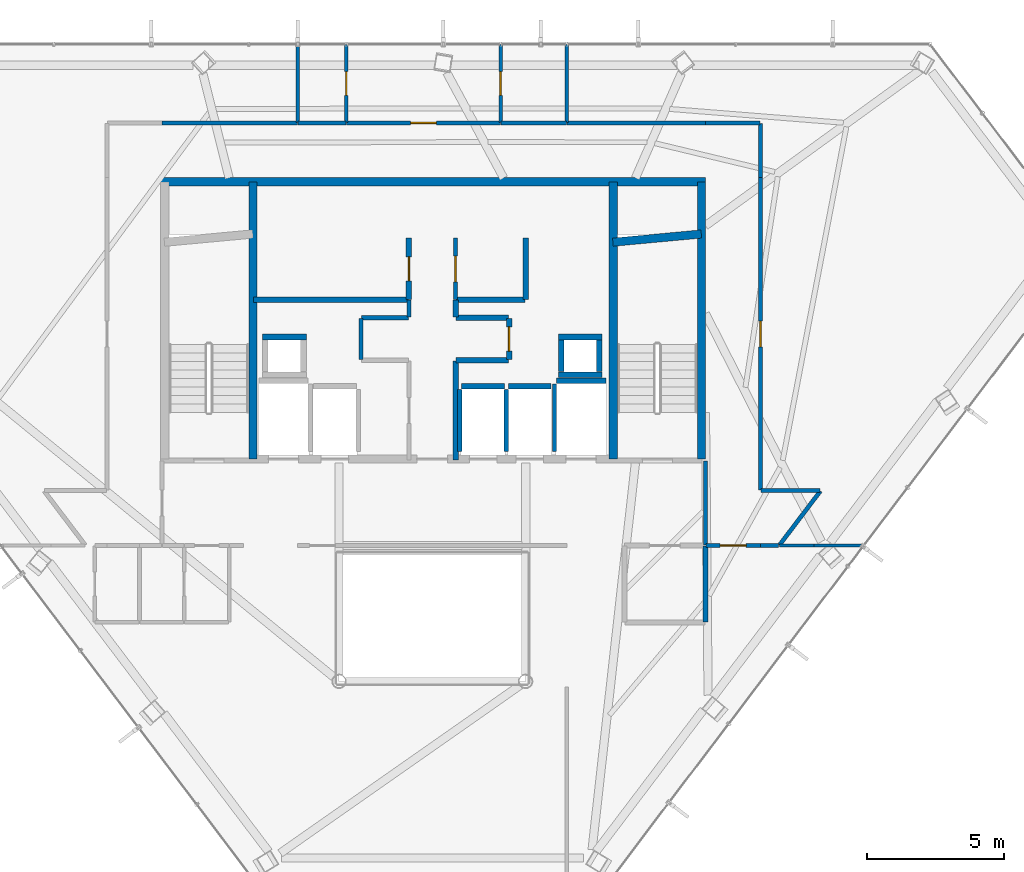
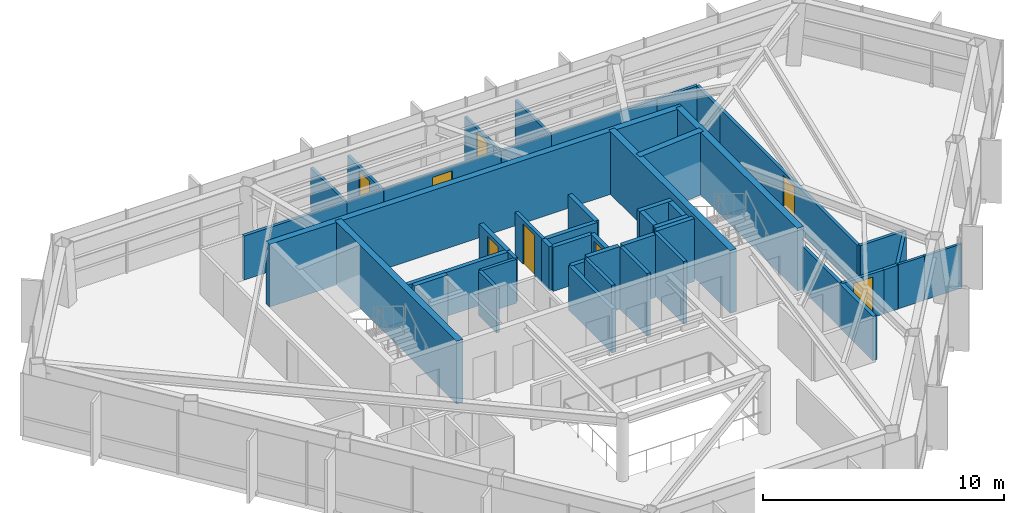
# One storey, part 25 of 27: 49 walls, 8 doors, 8 openings.
"""IFC4 building model written with IfcOpenShell, lengths in metres."""

from ifc_helpers import new_model, si_unit, direction, frame, frame_2d, origin, place, context, subcontext, project, spatial, rectangle, extrude, material, layer, layer_set, type_object, element, fill, save


model = new_model("IFC4")

# Units and contexts
model_context = context("Model", 3, precision=1e-05, world=origin(), true_north=direction((0.0, 1.0)))
body_context = subcontext(model_context, "Body", "Model", "MODEL_VIEW")
ifc_project = project(units=[si_unit("LENGTHUNIT", "METRE"), si_unit("AREAUNIT", "SQUARE_METRE"), si_unit("VOLUMEUNIT", "CUBIC_METRE"), si_unit("PLANEANGLEUNIT", "RADIAN"), si_unit("MASSUNIT", "GRAM", prefix="KILO")], contexts=[model_context])

# Site, building, storey
site_placement = place(None, origin())
site = spatial("IfcSite", under=ifc_project, at=site_placement, CompositionType="ELEMENT")
building_placement = place(site_placement, origin())
building = spatial("IfcBuilding", under=site, at=building_placement, Name="Zarrinselat Tower", CompositionType="ELEMENT")
storey_placement = place(building_placement, frame((0.0, 0.0, 215.56005859375)))
storey = spatial("IfcBuildingStorey", under=building, at=storey_placement, Name="L53", CompositionType="ELEMENT", Elevation=215.56005859375)

# Walls
ifc_material_1 = material(Name="Concrete C40/50", Category="concrete")
ifc_layer_1 = layer(ifc_material_1, 0.18994140625)
ifc_layer_set_1 = layer_set([ifc_layer_1], Name="Concrete C40/50")
wall_type_1 = type_object("IfcWallType", Name="WAL-PART-EI120", PredefinedType="PARTITIONING", material=ifc_layer_set_1)
wall_1_placement = place(storey_placement, frame((48.35009765625, 27.3701171875, 0.0), z_axis=(0.0, 0.0, 1.0), x_axis=(0.0, 1.0, 0.0)))
element("IfcWall", 1, at=wall_1_placement, inside=storey, type_object=wall_type_1, Name="L53 Partition Wall 25", PredefinedType="PARTITIONING", context=body_context, shape_type="SweptSolid", body=[
    extrude(rectangle(XDim=2.759765625, YDim=0.18994140625, at=frame_2d((1.3798828125, 0.0))), origin(), (0.0, 0.0, 1.0), 2.23486328125),
])
ifc_material_2 = material(Name="Fire-Rated Gypsum Board Partition", Category="gypsum")
ifc_layer_2 = layer(ifc_material_2, 0.14990234375)
ifc_layer_set_2 = layer_set([ifc_layer_2], Name="Fire-Rated Gypsum Board Partition")
wall_type_2 = type_object("IfcWallType", Name="WAL-PART-EI60", PredefinedType="PARTITIONING", material=ifc_layer_set_2)
wall_2_placement = place(storey_placement, frame((35.800048828125, 36.919921875, 0.0), z_axis=(0.0, 0.0, 1.0), x_axis=(0.0, 1.0, 0.0)))
element("IfcWall", 2, at=wall_2_placement, inside=storey, type_object=wall_type_2, Name="L53 Partition Wall 3", PredefinedType="PARTITIONING", context=body_context, shape_type="SweptSolid", body=[
    extrude(rectangle(XDim=1.510009765625, YDim=0.14990234375, at=frame_2d((0.7548828125, 0.0))), origin(), (0.0, 0.0, 1.0), 2.23486328125),
])
wall_3_placement = place(storey_placement, frame((35.820068359375, 38.449951171875, 0.0), z_axis=(0.0, 0.0, 1.0), x_axis=(1.0, 0.0, 0.0)))
element("IfcWall", 3, at=wall_3_placement, inside=storey, type_object=wall_type_2, Name="L53 Partition Wall 4", PredefinedType="PARTITIONING", context=body_context, shape_type="SweptSolid", body=[
    extrude(rectangle(XDim=1.7099609375, YDim=0.14990234375, at=frame_2d((0.85498046875, 0.0))), origin(), (0.0, 0.0, 1.0), 2.23486328125),
])
wall_4_placement = place(storey_placement, frame((37.550048828125, 38.469970703125, 0.0), z_axis=(0.0, 0.0, 1.0), x_axis=(0.0, 1.0, 0.0)))
element("IfcWall", 4, at=wall_4_placement, inside=storey, type_object=wall_type_2, Name="L53 Partition Wall 5", PredefinedType="PARTITIONING", context=body_context, shape_type="SweptSolid", body=[
    extrude(rectangle(XDim=0.625, YDim=0.14990234375, at=frame_2d((0.3125, 0.0))), origin(), (0.0, 0.0, 1.0), 2.23486328125),
])

# Wall, opening, door
wall_5_placement = place(storey_placement, frame((39.25, 39.10498046875, 0.0), z_axis=(0.0, 0.0, 1.0), x_axis=(0.0, 1.0, 0.0)))
wall_5 = element("IfcWall", 5, at=wall_5_placement, inside=storey, type_object=wall_type_2, Name="L53 Partition Wall 12", PredefinedType="PARTITIONING", context=body_context, shape_type="SweptSolid", body=[
    extrude(rectangle(XDim=2.2451171875, YDim=0.14990234375, at=frame_2d((1.12255859375, 0.0))), origin(), (0.0, 0.0, 1.0), 2.23486328125),
])
opening_1_placement = place(wall_5_placement, frame((0.652587890625, 0.0, 0.0)))
opening_1 = element("IfcOpeningElement", 6, at=opening_1_placement, cuts=wall_5, Name="Opening ID-04", PredefinedType="OPENING", context=body_context, shape_type="SweptSolid", body=[
    extrude(rectangle(XDim=0.93994140625, YDim=2.050048828125, at=frame_2d((0.469970703125, 1.02490234375))), frame((0.0, 0.0849609375, 0.0), z_axis=(0.0, -1.0, 0.0), x_axis=(1.0, 0.0, 0.0)), (0.0, 0.0, 1.0), 0.169921875),
])
ifc_material_3 = material(Name="Fire-Rated Gypsum Board Partition")
door_type_1 = type_object("IfcDoorType", Name="DR-INT-FD30-ENT", OperationType="NOTDEFINED", PredefinedType="DOOR", material=ifc_material_3)
door_1_placement = place(opening_1_placement, origin())
door_1 = element("IfcDoor", 7, at=door_1_placement, inside=storey, type_object=door_type_1, Name="L53 Interior Door P12", OperationType="SINGLE_SWING_LEFT", OverallHeight=2.050048828125, OverallWidth=0.93994140625, PredefinedType="DOOR", context=body_context, shape_type="SweptSolid", body=[
    extrude(rectangle(XDim=0.93994140625, YDim=2.050048828125, at=frame_2d((0.469970703125, 1.02490234375))), frame((0.0, 0.02490234375, 0.0), z_axis=(0.0, -1.0, 0.0), x_axis=(1.0, 0.0, 0.0)), (0.0, 0.0, 1.0), 0.050048828125),
])
fill(opening_1, door_1)

# Walls
wall_6_placement = place(storey_placement, frame((48.35009765625, 30.169921875, 0.0), z_axis=(0.0, 0.0, 1.0), x_axis=(0.0, 1.0, 0.0)))
element("IfcWall", 8, at=wall_6_placement, inside=storey, type_object=wall_type_2, Name="L53 Partition Wall 18", PredefinedType="PARTITIONING", context=body_context, shape_type="SweptSolid", body=[
    extrude(rectangle(XDim=3.06005859375, YDim=0.14990234375, at=frame_2d((1.530029296875, 0.0))), origin(), (0.0, 0.0, 1.0), 2.23486328125),
])
wall_7_placement = place(storey_placement, frame((50.35009765625, 30.14990234375, 0.0), z_axis=(0.0, 0.0, 1.0), x_axis=(1.0, 0.0, 0.0)))
element("IfcWall", 9, at=wall_7_placement, inside=storey, type_object=wall_type_2, Name="L53 Partition Wall 29", PredefinedType="PARTITIONING", context=body_context, shape_type="SweptSolid", body=[
    extrude(rectangle(XDim=0.6650390625, YDim=0.14990234375, at=frame_2d((0.33251953125, 0.0))), origin(), (0.0, 0.0, 1.0), 2.23486328125),
])

# Wall, opening, door
wall_8_placement = place(storey_placement, frame((48.3701171875, 30.14990234375, 0.0), z_axis=(0.0, 0.0, 1.0), x_axis=(1.0, 0.0, 0.0)))
wall_8 = element("IfcWall", 10, at=wall_8_placement, inside=storey, type_object=wall_type_2, Name="L53 Partition Wall 30", PredefinedType="PARTITIONING", context=body_context, shape_type="SweptSolid", body=[
    extrude(rectangle(XDim=1.97998046875, YDim=0.14990234375, at=frame_2d((0.989990234375, 0.0))), origin(), (0.0, 0.0, 1.0), 2.23486328125),
])
opening_2_placement = place(wall_8_placement, frame((0.52001953125, 0.0, 0.0)))
opening_2 = element("IfcOpeningElement", 11, at=opening_2_placement, cuts=wall_8, Name="Opening ID-04", PredefinedType="OPENING", context=body_context, shape_type="SweptSolid", body=[
    extrude(rectangle(XDim=0.93994140625, YDim=2.050048828125, at=frame_2d((0.469970703125, 1.02490234375))), frame((0.0, 0.0849609375, 0.0), z_axis=(0.0, -1.0, 0.0), x_axis=(1.0, 0.0, 0.0)), (0.0, 0.0, 1.0), 0.169921875),
])
door_2_placement = place(opening_2_placement, origin())
door_2 = element("IfcDoor", 12, at=door_2_placement, inside=storey, type_object=door_type_1, Name="L53 Interior Door P30", OperationType="SINGLE_SWING_RIGHT", OverallHeight=2.050048828125, OverallWidth=0.93994140625, PredefinedType="DOOR", context=body_context, shape_type="SweptSolid", body=[
    extrude(rectangle(XDim=0.93994140625, YDim=2.050048828125, at=frame_2d((0.469970703125, 1.02490234375))), frame((0.0, 0.02490234375, 0.0), z_axis=(0.0, -1.0, 0.0), x_axis=(1.0, 0.0, 0.0)), (0.0, 0.0, 1.0), 0.050048828125),
])
fill(opening_2, door_2)

# Walls
wall_9_placement = place(storey_placement, frame((28.550048828125, 45.550048828125, 0.0), z_axis=(0.0, 0.0, 1.0), x_axis=(1.0, 0.0, 0.0)))
element("IfcWall", 13, at=wall_9_placement, inside=storey, type_object=wall_type_2, Name="L53 Partition Wall 36", PredefinedType="PARTITIONING", context=body_context, shape_type="SweptSolid", body=[
    extrude(rectangle(XDim=4.945068359375, YDim=0.14990234375, at=frame_2d((2.47265625, 0.0))), origin(), (0.0, 0.0, 1.0), 2.23486328125),
])
wall_10_placement = place(storey_placement, frame((43.304931640625, 45.550048828125, 0.0), z_axis=(0.0, 0.0, 1.0), x_axis=(1.0, 0.0, 0.0)))
element("IfcWall", 14, at=wall_10_placement, inside=storey, type_object=wall_type_2, Name="L53 Partition Wall 37", PredefinedType="PARTITIONING", context=body_context, shape_type="SweptSolid", body=[
    extrude(rectangle(XDim=5.045166015625, YDim=0.14990234375, at=frame_2d((2.5224609375, 0.0))), origin(), (0.0, 0.0, 1.0), 2.23486328125),
])
for number, where, z_axis, x_axis, name in (
    (15, (48.35009765625, 45.550048828125, 0.0), (0.0, 0.0, 1.0), (1.0, 0.0, 0.0), "L53 Partition Wall 38"),
    (16, (50.35009765625, 43.550048828125, 0.0), (0.0, 0.0, 1.0), (0.0, 1.0, 0.0), "L53 Partition Wall 39"),
):
    element("IfcWall", number, at=place(storey_placement, frame(where, z_axis=z_axis, x_axis=x_axis)), inside=storey, type_object=wall_type_2, Name=name, PredefinedType="PARTITIONING", context=body_context, shape_type="SweptSolid", body=[
        extrude(rectangle(XDim=1.97998046875, YDim=0.14990234375, at=frame_2d((0.989990234375, 0.0))), origin(), (0.0, 0.0, 1.0), 2.23486328125),
    ])

# Wall, opening, door
wall_11_placement = place(storey_placement, frame((50.35009765625, 32.169921875, 0.0), z_axis=(0.0, 0.0, 1.0), x_axis=(0.0, 1.0, 0.0)))
wall_11 = element("IfcWall", 17, at=wall_11_placement, inside=storey, type_object=wall_type_2, Name="L53 Partition Wall 40", PredefinedType="PARTITIONING", context=body_context, shape_type="SweptSolid", body=[
    extrude(rectangle(XDim=11.380126953125, YDim=0.14990234375, at=frame_2d((5.68994140625, 0.0))), origin(), (0.0, 0.0, 1.0), 2.23486328125),
])
opening_3_placement = place(wall_11_placement, frame((5.219970703125, 0.0, 0.0)))
opening_3 = element("IfcOpeningElement", 18, at=opening_3_placement, cuts=wall_11, Name="Opening ID-04", PredefinedType="OPENING", context=body_context, shape_type="SweptSolid", body=[
    extrude(rectangle(XDim=0.93994140625, YDim=2.050048828125, at=frame_2d((0.469970703125, 1.02490234375))), frame((0.0, 0.0849609375, 0.0), z_axis=(0.0, -1.0, 0.0), x_axis=(1.0, 0.0, 0.0)), (0.0, 0.0, 1.0), 0.169921875),
])
door_3_placement = place(opening_3_placement, origin())
door_3 = element("IfcDoor", 19, at=door_3_placement, inside=storey, type_object=door_type_1, Name="L53 Interior Door P40", OperationType="SINGLE_SWING_RIGHT", OverallHeight=2.050048828125, OverallWidth=0.93994140625, PredefinedType="DOOR", context=body_context, shape_type="SweptSolid", body=[
    extrude(rectangle(XDim=0.93994140625, YDim=2.050048828125, at=frame_2d((0.469970703125, 1.02490234375))), frame((0.0, 0.02490234375, 0.0), z_axis=(0.0, -1.0, 0.0), x_axis=(1.0, 0.0, 0.0)), (0.0, 0.0, 1.0), 0.050048828125),
])
fill(opening_3, door_3)

# Walls
wall_12_placement = place(storey_placement, frame((50.3701171875, 32.14990234375, 0.0), z_axis=(0.0, 0.0, 1.0), x_axis=(1.0, 0.0, 0.0)))
element("IfcWall", 20, at=wall_12_placement, inside=storey, type_object=wall_type_2, Name="L53 Partition Wall 41", PredefinedType="PARTITIONING", context=body_context, shape_type="SweptSolid", body=[
    extrude(rectangle(XDim=2.16015625, YDim=0.14990234375, at=frame_2d((1.080078125, 0.0))), origin(), (0.0, 0.0, 1.0), 2.23486328125),
])
wall_13_placement = place(storey_placement, frame((51.04736328125, 30.166015625, 0.0), z_axis=(0.0, 0.0, 1.0), x_axis=(0.603806281462, 0.797131089889, 0.0)))
element("IfcWall", 21, at=wall_13_placement, inside=storey, type_object=wall_type_2, Name="L53 Partition Wall 42", PredefinedType="PARTITIONING", context=body_context, shape_type="SweptSolid", body=[
    extrude(rectangle(XDim=2.468994140625, YDim=0.14990234375, at=frame_2d((1.234375, 0.0))), origin(), (0.0, 0.0, 1.0), 2.23486328125),
])

# Wall, opening, door
wall_14_placement = place(storey_placement, frame((35.26904296875, 45.550048828125, 0.0), z_axis=(0.0, 0.0, 1.0), x_axis=(1.0, 0.0, 0.0)))
wall_14 = element("IfcWall", 22, at=wall_14_placement, inside=storey, type_object=wall_type_2, Name="L53 Partition Wall 43", PredefinedType="PARTITIONING", context=body_context, shape_type="SweptSolid", body=[
    extrude(rectangle(XDim=5.615234375, YDim=0.14990234375, at=frame_2d((2.8076171875, 0.0))), origin(), (0.0, 0.0, 1.0), 2.23486328125),
])
opening_4_placement = place(wall_14_placement, frame((2.337646484375, 0.0, 0.0)))
opening_4 = element("IfcOpeningElement", 23, at=opening_4_placement, cuts=wall_14, Name="Opening ID-04", PredefinedType="OPENING", context=body_context, shape_type="SweptSolid", body=[
    extrude(rectangle(XDim=0.93994140625, YDim=2.050048828125, at=frame_2d((0.469970703125, 1.02490234375))), frame((0.0, 0.0849609375, 0.0), z_axis=(0.0, -1.0, 0.0), x_axis=(1.0, 0.0, 0.0)), (0.0, 0.0, 1.0), 0.169921875),
])
door_4_placement = place(opening_4_placement, origin())
door_4 = element("IfcDoor", 24, at=door_4_placement, inside=storey, type_object=door_type_1, Name="L53 Interior Door P43", OperationType="SINGLE_SWING_LEFT", OverallHeight=2.050048828125, OverallWidth=0.93994140625, PredefinedType="DOOR", context=body_context, shape_type="SweptSolid", body=[
    extrude(rectangle(XDim=0.93994140625, YDim=2.050048828125, at=frame_2d((0.469970703125, 1.02490234375))), frame((0.0, 0.02490234375, 0.0), z_axis=(0.0, -1.0, 0.0), x_axis=(1.0, 0.0, 0.0)), (0.0, 0.0, 1.0), 0.050048828125),
])
fill(opening_4, door_4)

# Walls
wall_15_placement = place(storey_placement, frame((40.894287109375, 45.550048828125, 0.0), z_axis=(0.0, 0.0, 1.0), x_axis=(1.0, 0.0, 0.0)))
element("IfcWall", 25, at=wall_15_placement, inside=storey, type_object=wall_type_2, Name="L53 Partition Wall 44", PredefinedType="PARTITIONING", context=body_context, shape_type="SweptSolid", body=[
    extrude(rectangle(XDim=2.400634765625, YDim=0.14990234375, at=frame_2d((1.2001953125, 0.0))), origin(), (0.0, 0.0, 1.0), 2.23486328125),
])
wall_16_placement = place(storey_placement, frame((33.5048828125, 45.550048828125, 0.0), z_axis=(0.0, 0.0, 1.0), x_axis=(1.0, 0.0, 0.0)))
element("IfcWall", 26, at=wall_16_placement, inside=storey, type_object=wall_type_2, Name="L53 Partition Wall 45", PredefinedType="PARTITIONING", context=body_context, shape_type="SweptSolid", body=[
    extrude(rectangle(XDim=1.754150390625, YDim=0.14990234375, at=frame_2d((0.876953125, 0.0))), origin(), (0.0, 0.0, 1.0), 2.23486328125),
])

# Wall, opening, door
ifc_material_4 = material(Name="Concrete C40/50", Category="concrete")
ifc_layer_3 = layer(ifc_material_4, 0.199951171875)
ifc_layer_set_3 = layer_set([ifc_layer_3], Name="Concrete C40/50")
wall_type_3 = type_object("IfcWallType", Name="WAL-PART-PLANT", PredefinedType="PARTITIONING", material=ifc_layer_set_3)
wall_17_placement = place(storey_placement, frame((37.550048828125, 39.10498046875, 0.0), z_axis=(0.0, 0.0, 1.0), x_axis=(0.0, 1.0, 0.0)))
wall_17 = element("IfcWall", 27, at=wall_17_placement, inside=storey, type_object=wall_type_3, Name="L53 Partition Wall 6", PredefinedType="PARTITIONING", context=body_context, shape_type="SweptSolid", body=[
    extrude(rectangle(XDim=2.2451171875, YDim=0.199951171875, at=frame_2d((1.12255859375, 0.0))), origin(), (0.0, 0.0, 1.0), 2.23486328125),
])
opening_5_placement = place(wall_17_placement, frame((0.6826171875, 0.0, 0.0)))
opening_5 = element("IfcOpeningElement", 28, at=opening_5_placement, cuts=wall_17, Name="Opening ID-03", PredefinedType="OPENING", context=body_context, shape_type="SweptSolid", body=[
    extrude(rectangle(XDim=0.8798828125, YDim=2.050048828125, at=frame_2d((0.43994140625, 1.02490234375))), frame((0.0, 0.10986328125, 0.0), z_axis=(0.0, -1.0, 0.0), x_axis=(1.0, 0.0, 0.0)), (0.0, 0.0, 1.0), 0.219970703125),
])
ifc_material_5 = material(Name="Steel S355J2", Category="steel")
door_type_2 = type_object("IfcDoorType", Name="DR-INT-FD60-S", OperationType="NOTDEFINED", PredefinedType="DOOR", material=ifc_material_5)
door_5_placement = place(opening_5_placement, origin())
door_5 = element("IfcDoor", 29, at=door_5_placement, inside=storey, type_object=door_type_2, Name="L53 Interior Door P6", OperationType="SINGLE_SWING_LEFT", OverallHeight=2.050048828125, OverallWidth=0.8798828125, PredefinedType="DOOR", context=body_context, shape_type="SweptSolid", body=[
    extrude(rectangle(XDim=0.8798828125, YDim=2.050048828125, at=frame_2d((0.43994140625, 1.02490234375))), frame((0.0, 0.02490234375, 0.0), z_axis=(0.0, -1.0, 0.0), x_axis=(1.0, 0.0, 0.0)), (0.0, 0.0, 1.0), 0.050048828125),
])
fill(opening_5, door_5)

# Walls
wall_18_placement = place(storey_placement, frame((39.25, 38.469970703125, 0.0), z_axis=(0.0, 0.0, 1.0), x_axis=(0.0, 1.0, 0.0)))
element("IfcWall", 30, at=wall_18_placement, inside=storey, type_object=wall_type_3, Name="L53 Partition Wall 7", PredefinedType="PARTITIONING", context=body_context, shape_type="SweptSolid", body=[
    extrude(rectangle(XDim=0.625, YDim=0.199951171875, at=frame_2d((0.3125, 0.0))), origin(), (0.0, 0.0, 1.0), 2.23486328125),
])
wall_19_placement = place(storey_placement, frame((39.27001953125, 38.449951171875, 0.0), z_axis=(0.0, 0.0, 1.0), x_axis=(1.0, 0.0, 0.0)))
element("IfcWall", 31, at=wall_19_placement, inside=storey, type_object=wall_type_3, Name="L53 Partition Wall 8", PredefinedType="PARTITIONING", context=body_context, shape_type="SweptSolid", body=[
    extrude(rectangle(XDim=1.909912109375, YDim=0.199951171875, at=frame_2d((0.955078125, 0.0))), origin(), (0.0, 0.0, 1.0), 2.23486328125),
])

# Wall, opening, door
wall_20_placement = place(storey_placement, frame((41.199951171875, 36.919921875, 0.0), z_axis=(0.0, 0.0, 1.0), x_axis=(0.0, 1.0, 0.0)))
wall_20 = element("IfcWall", 32, at=wall_20_placement, inside=storey, type_object=wall_type_3, Name="L53 Partition Wall 9", PredefinedType="PARTITIONING", context=body_context, shape_type="SweptSolid", body=[
    extrude(rectangle(XDim=1.510009765625, YDim=0.199951171875, at=frame_2d((0.7548828125, 0.0))), origin(), (0.0, 0.0, 1.0), 2.23486328125),
])
opening_6_placement = place(wall_20_placement, frame((0.31494140625, 0.0, 0.0)))
opening_6 = element("IfcOpeningElement", 33, at=opening_6_placement, cuts=wall_20, Name="Opening ID-03", PredefinedType="OPENING", context=body_context, shape_type="SweptSolid", body=[
    extrude(rectangle(XDim=0.8798828125, YDim=2.050048828125, at=frame_2d((0.43994140625, 1.02490234375))), frame((0.0, 0.10986328125, 0.0), z_axis=(0.0, -1.0, 0.0), x_axis=(1.0, 0.0, 0.0)), (0.0, 0.0, 1.0), 0.219970703125),
])
door_6_placement = place(opening_6_placement, origin())
door_6 = element("IfcDoor", 34, at=door_6_placement, inside=storey, type_object=door_type_2, Name="L53 Interior Door P9", OperationType="SINGLE_SWING_RIGHT", OverallHeight=2.050048828125, OverallWidth=0.8798828125, PredefinedType="DOOR", context=body_context, shape_type="SweptSolid", body=[
    extrude(rectangle(XDim=0.8798828125, YDim=2.050048828125, at=frame_2d((0.43994140625, 1.02490234375))), frame((0.0, 0.02490234375, 0.0), z_axis=(0.0, -1.0, 0.0), x_axis=(1.0, 0.0, 0.0)), (0.0, 0.0, 1.0), 0.050048828125),
])
fill(opening_6, door_6)

# Walls
wall_21_placement = place(storey_placement, frame((39.27001953125, 36.89990234375, 0.0), z_axis=(0.0, 0.0, 1.0), x_axis=(1.0, 0.0, 0.0)))
element("IfcWall", 35, at=wall_21_placement, inside=storey, type_object=wall_type_3, Name="L53 Partition Wall 10", PredefinedType="PARTITIONING", context=body_context, shape_type="SweptSolid", body=[
    extrude(rectangle(XDim=1.909912109375, YDim=0.199951171875, at=frame_2d((0.955078125, 0.0))), origin(), (0.0, 0.0, 1.0), 2.23486328125),
])
wall_22_placement = place(storey_placement, frame((39.25, 33.264892578125, 0.0), z_axis=(0.0, 0.0, 1.0), x_axis=(0.0, 1.0, 0.0)))
element("IfcWall", 36, at=wall_22_placement, inside=storey, type_object=wall_type_3, Name="L53 Partition Wall 11", PredefinedType="PARTITIONING", context=body_context, shape_type="SweptSolid", body=[
    extrude(rectangle(XDim=3.614990234375, YDim=0.199951171875, at=frame_2d((1.8076171875, 0.0))), origin(), (0.0, 0.0, 1.0), 2.23486328125),
])
wall_23_placement = place(storey_placement, frame((31.885009765625, 39.10009765625, 0.0), z_axis=(0.0, 0.0, 1.0), x_axis=(1.0, 0.0, 0.0)))
element("IfcWall", 37, at=wall_23_placement, inside=storey, type_object=wall_type_3, Name="L53 Partition Wall 13", PredefinedType="PARTITIONING", context=body_context, shape_type="SweptSolid", body=[
    extrude(rectangle(XDim=5.64501953125, YDim=0.199951171875, at=frame_2d((2.822509765625, 0.0))), origin(), (0.0, 0.0, 1.0), 2.23486328125),
])
wall_24_placement = place(storey_placement, frame((39.27001953125, 39.10009765625, 0.0), z_axis=(0.0, 0.0, 1.0), x_axis=(1.0, 0.0, 0.0)))
element("IfcWall", 38, at=wall_24_placement, inside=storey, type_object=wall_type_3, Name="L53 Partition Wall 14", PredefinedType="PARTITIONING", context=body_context, shape_type="SweptSolid", body=[
    extrude(rectangle(XDim=2.510009765625, YDim=0.199951171875, at=frame_2d((1.2548828125, 0.0))), origin(), (0.0, 0.0, 1.0), 2.23486328125),
])
wall_25_placement = place(storey_placement, frame((41.800048828125, 39.1201171875, 0.0), z_axis=(0.0, 0.0, 1.0), x_axis=(0.0, 1.0, 0.0)))
element("IfcWall", 39, at=wall_25_placement, inside=storey, type_object=wall_type_3, Name="L53 Partition Wall 15", PredefinedType="PARTITIONING", context=body_context, shape_type="SweptSolid", body=[
    extrude(rectangle(XDim=2.22998046875, YDim=0.199951171875, at=frame_2d((1.114990234375, 0.0))), origin(), (0.0, 0.0, 1.0), 2.23486328125),
])
ifc_material_6 = material(Name="Fire-Rated Gypsum Board Partition", Category="gypsum")
ifc_layer_4 = layer(ifc_material_6, 0.1201171875)
ifc_layer_set_4 = layer_set([ifc_layer_4], Name="Fire-Rated Gypsum Board Partition")
wall_type_4 = type_object("IfcWallType", Name="WAL-PART-STD", PredefinedType="PARTITIONING", material=ifc_layer_set_4)
wall_26_placement = place(storey_placement, frame((51.05517578125, 30.14990234375, 0.0), z_axis=(0.0, 0.0, 1.0), x_axis=(1.0, 0.0, 0.0)))
element("IfcWall", 40, at=wall_26_placement, inside=storey, type_object=wall_type_4, Name="L53 Partition Wall 56", PredefinedType="PARTITIONING", context=body_context, shape_type="SweptSolid", body=[
    extrude(rectangle(XDim=1.244873046875, YDim=0.1201171875, at=frame_2d((0.62255859375, 0.0))), origin(), (0.0, 0.0, 1.0), 2.23486328125),
])
wall_27_placement = place(storey_placement, frame((52.300048828125, 30.14990234375, 0.0), z_axis=(0.0, 0.0, 1.0), x_axis=(1.0, 0.0, 0.0)))
element("IfcWall", 41, at=wall_27_placement, inside=storey, type_object=wall_type_4, Name="L53 Partition Wall 57", PredefinedType="PARTITIONING", context=body_context, shape_type="SweptSolid", body=[
    extrude(rectangle(XDim=1.806396484375, YDim=0.1201171875, at=frame_2d((0.9033203125, 0.0))), origin(), (0.0, 0.0, 1.0), 2.23486328125),
])
ifc_material_7 = material(Name="Fire-Rated Gypsum Board Partition", Category="gypsum")
ifc_layer_5 = layer(ifc_material_7, 0.135009765625)
ifc_layer_set_5 = layer_set([ifc_layer_5], Name="Fire-Rated Gypsum Board Partition")
wall_type_5 = type_object("IfcWallType", Name="WAL-PART-WET", PredefinedType="PARTITIONING", material=ifc_layer_set_5)
for number, where, z_axis, x_axis, name in (
    (42, (33.5, 45.570068359375, 0.0), (0.0, 0.0, 1.0), (0.0, 1.0, 0.0), "L53 Partition Wall 58"),
    (43, (43.300048828125, 45.570068359375, 0.0), (0.0, 0.0, 1.0), (0.0, 1.0, 0.0), "L53 Partition Wall 59"),
):
    element("IfcWall", number, at=place(storey_placement, frame(where, z_axis=z_axis, x_axis=x_axis)), inside=storey, type_object=wall_type_5, Name=name, PredefinedType="PARTITIONING", context=body_context, shape_type="SweptSolid", body=[
        extrude(rectangle(XDim=2.825927734375, YDim=0.135009765625, at=frame_2d((1.4130859375, 0.0))), origin(), (0.0, 0.0, 1.0), 2.23486328125),
    ])

# Wall, opening, door
wall_28_placement = place(storey_placement, frame((40.88916015625, 45.570068359375, 0.0), z_axis=(0.0, 0.0, 1.0), x_axis=(0.0, 1.0, 0.0)))
wall_28 = element("IfcWall", 44, at=wall_28_placement, inside=storey, type_object=wall_type_5, Name="L53 Partition Wall 60", PredefinedType="PARTITIONING", context=body_context, shape_type="SweptSolid", body=[
    extrude(rectangle(XDim=2.825927734375, YDim=0.135009765625, at=frame_2d((1.4130859375, 0.0))), origin(), (0.0, 0.0, 1.0), 2.23486328125),
])
opening_7_placement = place(wall_28_placement, frame((0.98291015625, 0.0, 0.0)))
opening_7 = element("IfcOpeningElement", 45, at=opening_7_placement, cuts=wall_28, Name="Opening ID-06", PredefinedType="OPENING", context=body_context, shape_type="SweptSolid", body=[
    extrude(rectangle(XDim=0.860107421875, YDim=2.050048828125, at=frame_2d((0.43017578125, 1.02490234375))), frame((0.0, 0.077392578125, 0.0), z_axis=(0.0, -1.0, 0.0), x_axis=(1.0, 0.0, 0.0)), (0.0, 0.0, 1.0), 0.155029296875),
])
ifc_material_8 = material(Name="Extruded Aluminium Alloy EN AW-6063 T6", Category="aluminium")
door_type_3 = type_object("IfcDoorType", Name="DR-INT-WET-900", OperationType="NOTDEFINED", PredefinedType="DOOR", material=ifc_material_8)
door_7_placement = place(opening_7_placement, origin())
door_7 = element("IfcDoor", 46, at=door_7_placement, inside=storey, type_object=door_type_3, Name="L53 Interior Door P60", OperationType="SINGLE_SWING_RIGHT", OverallHeight=2.050048828125, OverallWidth=0.860107421875, PredefinedType="DOOR", context=body_context, shape_type="SweptSolid", body=[
    extrude(rectangle(XDim=0.860107421875, YDim=2.050048828125, at=frame_2d((0.43017578125, 1.02490234375))), frame((0.0, 0.02490234375, 0.0), z_axis=(0.0, -1.0, 0.0), x_axis=(1.0, 0.0, 0.0)), (0.0, 0.0, 1.0), 0.050048828125),
])
fill(opening_7, door_7)

wall_29_placement = place(storey_placement, frame((35.263916015625, 45.570068359375, 0.0), z_axis=(0.0, 0.0, 1.0), x_axis=(0.0, 1.0, 0.0)))
wall_29 = element("IfcWall", 47, at=wall_29_placement, inside=storey, type_object=wall_type_5, Name="L53 Partition Wall 61", PredefinedType="PARTITIONING", context=body_context, shape_type="SweptSolid", body=[
    extrude(rectangle(XDim=2.825927734375, YDim=0.135009765625, at=frame_2d((1.4130859375, 0.0))), origin(), (0.0, 0.0, 1.0), 2.23486328125),
])
opening_8_placement = place(wall_29_placement, frame((0.98291015625, 0.0, 0.0)))
opening_8 = element("IfcOpeningElement", 48, at=opening_8_placement, cuts=wall_29, Name="Opening ID-06", PredefinedType="OPENING", context=body_context, shape_type="SweptSolid", body=[
    extrude(rectangle(XDim=0.860107421875, YDim=2.050048828125, at=frame_2d((0.43017578125, 1.02490234375))), frame((0.0, 0.077392578125, 0.0), z_axis=(0.0, -1.0, 0.0), x_axis=(1.0, 0.0, 0.0)), (0.0, 0.0, 1.0), 0.155029296875),
])
door_8_placement = place(opening_8_placement, origin())
door_8 = element("IfcDoor", 49, at=door_8_placement, inside=storey, type_object=door_type_3, Name="L53 Interior Door P61", OperationType="SINGLE_SWING_LEFT", OverallHeight=2.050048828125, OverallWidth=0.860107421875, PredefinedType="DOOR", context=body_context, shape_type="SweptSolid", body=[
    extrude(rectangle(XDim=0.860107421875, YDim=2.050048828125, at=frame_2d((0.43017578125, 1.02490234375))), frame((0.0, 0.02490234375, 0.0), z_axis=(0.0, -1.0, 0.0), x_axis=(1.0, 0.0, 0.0)), (0.0, 0.0, 1.0), 0.050048828125),
])
fill(opening_8, door_8)

# Walls
ifc_material_9 = material(Name="Concrete C40/50", Category="concrete")
ifc_layer_6 = layer(ifc_material_9, 0.2099609375)
ifc_layer_set_6 = layer_set([ifc_layer_6], Name="Concrete C40/50")
wall_type_6 = type_object("IfcWallType", Name="WAL-SHAFT-210", PredefinedType="SOLIDWALL", material=ifc_layer_set_6)
wall_30_placement = place(storey_placement, frame((42.919921875, 36.155029296875, 0.0), z_axis=(0.0, 0.0, 1.0), x_axis=(1.0, 0.0, 0.0)))
element("IfcWall", 50, at=wall_30_placement, inside=storey, type_object=wall_type_6, Name="L53 Lift FFL2 North Shaft Wall", PredefinedType="SOLIDWALL", context=body_context, shape_type="SweptSolid", body=[
    extrude(rectangle(XDim=1.800048828125, YDim=0.2099609375, at=frame_2d((0.89990234375, 0.0))), origin(), (0.0, 0.0, 1.0), 3.179931640625),
])
wall_31_placement = place(storey_placement, frame((42.85009765625, 33.580078125, 0.0), z_axis=(0.0, 0.0, 1.0), x_axis=(0.0, 1.0, 0.0)))
element("IfcWall", 51, at=wall_31_placement, inside=storey, type_object=wall_type_6, Name="L53 Lift FFL2 W Shaft Wall", PredefinedType="SOLIDWALL", context=body_context, shape_type="SweptSolid", body=[
    extrude(rectangle(XDim=2.449951171875, YDim=0.159912109375, at=frame_2d((1.22509765625, 0.0))), origin(), (0.0, 0.0, 1.0), 3.179931640625),
])
wall_32_placement = place(storey_placement, frame((39.469970703125, 35.955078125, 0.0), z_axis=(0.0, 0.0, 1.0), x_axis=(1.0, 0.0, 0.0)))
element("IfcWall", 52, at=wall_32_placement, inside=storey, type_object=wall_type_6, Name="L53 Lift PL8 North Shaft Wall", PredefinedType="SOLIDWALL", context=body_context, shape_type="SweptSolid", body=[
    extrude(rectangle(XDim=1.56005859375, YDim=0.2099609375, at=frame_2d((0.780029296875, 0.0))), origin(), (0.0, 0.0, 1.0), 3.179931640625),
])
for number, where, z_axis, x_axis, name in (
    (53, (39.39990234375, 33.580078125, 0.0), (0.0, 0.0, 1.0), (0.0, 1.0, 0.0), "L53 Lift PL8 W Shaft Wall"),
    (54, (41.10009765625, 33.580078125, 0.0), (0.0, 0.0, 1.0), (0.0, 1.0, 0.0), "L53 Lift PL8 E Shaft Wall"),
):
    element("IfcWall", number, at=place(storey_placement, frame(where, z_axis=z_axis, x_axis=x_axis)), inside=storey, type_object=wall_type_6, Name=name, PredefinedType="SOLIDWALL", context=body_context, shape_type="SweptSolid", body=[
        extrude(rectangle(XDim=2.25, YDim=0.159912109375, at=frame_2d((1.125, 0.0))), origin(), (0.0, 0.0, 1.0), 3.179931640625),
    ])
wall_33_placement = place(storey_placement, frame((41.169921875, 35.955078125, 0.0), z_axis=(0.0, 0.0, 1.0), x_axis=(1.0, 0.0, 0.0)))
element("IfcWall", 55, at=wall_33_placement, inside=storey, type_object=wall_type_6, Name="L53 Lift PL9 North Shaft Wall", PredefinedType="SOLIDWALL", context=body_context, shape_type="SweptSolid", body=[
    extrude(rectangle(XDim=1.56005859375, YDim=0.2099609375, at=frame_2d((0.780029296875, 0.0))), origin(), (0.0, 0.0, 1.0), 3.179931640625),
])
for number, where, z_axis, x_axis, name in (
    (56, (32.2099609375, 37.7451171875, 0.0), (0.0, 0.0, 1.0), (1.0, 0.0, 0.0), "L53 Core Riser RSR-W N Shaft Wall"),
    (57, (42.989990234375, 36.375, 0.0), (0.0, 0.0, 1.0), (1.0, 0.0, 0.0), "L53 Core Riser RSR-E S Shaft Wall"),
    (58, (42.989990234375, 37.7451171875, 0.0), (0.0, 0.0, 1.0), (1.0, 0.0, 0.0), "L53 Core Riser RSR-E N Shaft Wall"),
):
    element("IfcWall", number, at=place(storey_placement, frame(where, z_axis=z_axis, x_axis=x_axis)), inside=storey, type_object=wall_type_6, Name=name, PredefinedType="SOLIDWALL", context=body_context, shape_type="SweptSolid", body=[
        extrude(rectangle(XDim=1.60009765625, YDim=0.2099609375, at=frame_2d((0.800048828125, 0.0))), origin(), (0.0, 0.0, 1.0), 3.179931640625),
    ])
for number, where, z_axis, x_axis, name in (
    (59, (43.094970703125, 36.485107421875, 0.0), (0.0, 0.0, 1.0), (0.0, 1.0, 0.0), "L53 Core Riser RSR-E W Shaft Wall"),
    (60, (44.485107421875, 36.485107421875, 0.0), (0.0, 0.0, 1.0), (0.0, 1.0, 0.0), "L53 Core Riser RSR-E E Shaft Wall"),
):
    element("IfcWall", number, at=place(storey_placement, frame(where, z_axis=z_axis, x_axis=x_axis)), inside=storey, type_object=wall_type_6, Name=name, PredefinedType="SOLIDWALL", context=body_context, shape_type="SweptSolid", body=[
        extrude(rectangle(XDim=1.14990234375, YDim=0.2099609375, at=frame_2d((0.574951171875, 0.0))), origin(), (0.0, 0.0, 1.0), 3.179931640625),
    ])
ifc_material_10 = material(Name="Concrete C40/50", Category="concrete")
ifc_layer_7 = layer(ifc_material_10, 0.300048828125)
ifc_layer_set_7 = layer_set([ifc_layer_7], Name="Concrete C40/50")
wall_type_7 = type_object("IfcWallType", Name="WAL-SHEAR-300", PredefinedType="SHEAR", material=ifc_layer_set_7)
wall_34_placement = place(storey_placement, frame((28.5, 43.39990234375, 0.0), z_axis=(0.0, 0.0, 1.0), x_axis=(1.0, 0.0, 0.0)))
element("IfcWall", 61, at=wall_34_placement, inside=storey, type_object=wall_type_7, Name="L53 North Core Shear Wall", PredefinedType="SHEAR", context=body_context, shape_type="SweptSolid", body=[
    extrude(rectangle(XDim=19.860107421875, YDim=0.300048828125, at=frame_2d((9.93017578125, 0.0))), origin(), (0.0, 0.0, 1.0), 3.179931640625),
])
for number, where, z_axis, x_axis, name in (
    (62, (31.8701171875, 33.300048828125, 0.0), (0.0, 0.0, 1.0), (0.0, 1.0, 0.0), "L53 Core Shear Wall ST1E"),
    (63, (44.989990234375, 33.300048828125, 0.0), (0.0, 0.0, 1.0), (0.0, 1.0, 0.0), "L53 Core Shear Wall ST2W"),
    (64, (48.2099609375, 33.300048828125, 0.0), (0.0, 0.0, 1.0), (0.0, 1.0, 0.0), "L53 Core Shear Wall E"),
):
    element("IfcWall", number, at=place(storey_placement, frame(where, z_axis=z_axis, x_axis=x_axis)), inside=storey, type_object=wall_type_7, Name=name, PredefinedType="SHEAR", context=body_context, shape_type="SweptSolid", body=[
        extrude(rectangle(XDim=10.099853515625, YDim=0.300048828125, at=frame_2d((5.0498046875, 0.0))), origin(), (0.0, 0.0, 1.0), 3.179931640625),
    ])
wall_35_placement = place(storey_placement, frame((44.97998046875, 41.199951171875, 0.0), z_axis=(0.0, 0.0, 1.0), x_axis=(0.995686468965, 0.09278176286, 0.0)))
element("IfcWall", 65, at=wall_35_placement, inside=storey, type_object=wall_type_7, Name="L53 Stair 2 North Shaft Wall", PredefinedType="SHEAR", context=body_context, shape_type="SweptSolid", body=[
    extrude(rectangle(XDim=3.23388671875, YDim=0.300048828125, at=frame_2d((1.616943359375, 0.0))), origin(), (0.0, 0.0, 1.0), 3.179931640625),
])

save(model, "model.ifc")
